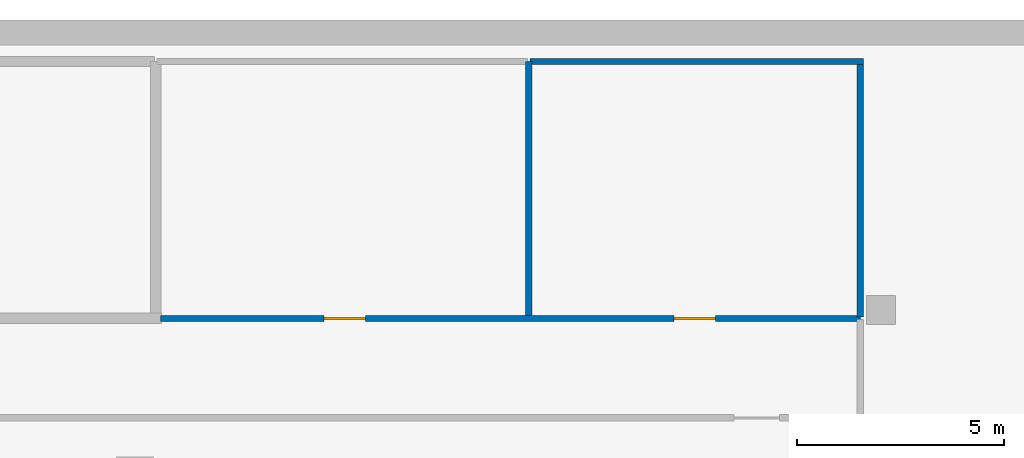
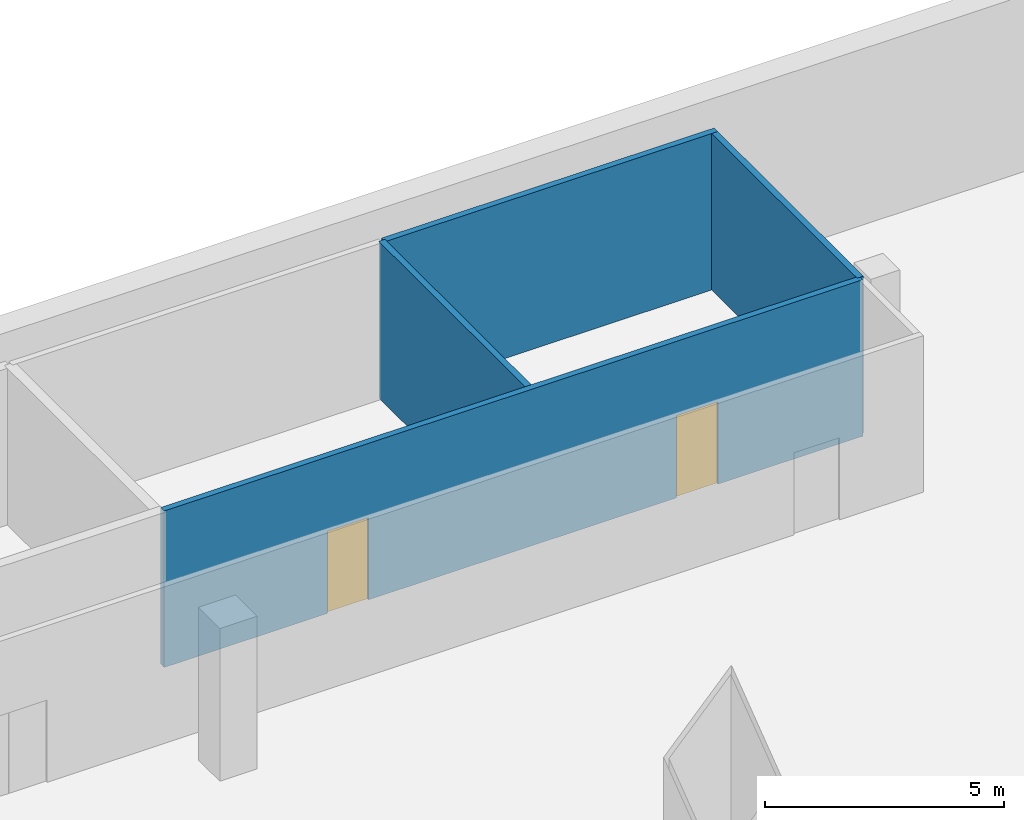
# One storey, part 12 of 17: 4 walls, 2 doors, 2 openings.
"""IFC4 building model written with IfcOpenShell, lengths in metres."""

from ifc_helpers import new_model, si_unit, direction, frame, frame_2d, origin, place, context, subcontext, project, spatial, rectangle, extrude, material, layer, layer_set, type_object, element, fill, save


model = new_model("IFC4")

# Units and contexts
model_context = context("Model", 3, precision=1e-05, world=origin(), true_north=direction((0.0, 1.0)))
body_context = subcontext(model_context, "Body", "Model", "MODEL_VIEW")
ifc_project = project(units=[si_unit("LENGTHUNIT", "METRE"), si_unit("AREAUNIT", "SQUARE_METRE"), si_unit("VOLUMEUNIT", "CUBIC_METRE"), si_unit("PLANEANGLEUNIT", "RADIAN"), si_unit("MASSUNIT", "GRAM", prefix="KILO")], contexts=[model_context])

# Site, building, storey
site_placement = place(None, origin())
site = spatial("IfcSite", under=ifc_project, at=site_placement, CompositionType="ELEMENT")
building_placement = place(site_placement, origin())
building = spatial("IfcBuilding", under=site, at=building_placement, Name="Mirante Cascada Hotel Towers", CompositionType="ELEMENT")
storey_placement = place(building_placement, frame((0.0, 0.0, -4.5)))
storey = spatial("IfcBuildingStorey", under=building, at=storey_placement, Name="B1", CompositionType="ELEMENT", Elevation=-4.5)

# Wall, openings, doors
ifc_material_1 = material(Name="Masonry block", Category="masonry")
ifc_layer_1 = layer(ifc_material_1, 0.15)
ifc_layer_set_1 = layer_set([ifc_layer_1], Name="Basement service corridor wall 150 block EI 60")
wall_type_1 = type_object("IfcWallType", Name="Basement service corridor wall 150 block EI 60", PredefinedType="PARTITIONING", material=ifc_layer_set_1)
wall_1_placement = place(storey_placement, frame((18.615, 30.8, 0.0), z_axis=(0.0, 0.0, 1.0), x_axis=(1.0, 0.0, 0.0)))
wall_1 = element("IfcWall", 1, at=wall_1_placement, inside=storey, type_object=wall_type_1, Name="Service corridor wall B1", PredefinedType="PARTITIONING", context=body_context, shape_type="SweptSolid", body=[
    extrude(rectangle(XDim=16.885, YDim=0.15, at=frame_2d((8.4425, 0.0))), origin(), (0.0, 0.0, 1.0), 4.0),
])
opening_1_placement = place(wall_1_placement, frame((3.9425, 0.0, 0.0)))
opening_1 = element("IfcOpeningElement", 2, at=opening_1_placement, cuts=wall_1, Name="Opening DB-1-05", PredefinedType="OPENING", context=body_context, shape_type="SweptSolid", body=[
    extrude(rectangle(XDim=1.0, YDim=2.1, at=frame_2d((0.5, 1.05))), frame((0.0, 0.075, 0.0), z_axis=(0.0, -1.0, 0.0), x_axis=(1.0, 0.0, 0.0)), (0.0, 0.0, 1.0), 0.15),
])
opening_2_placement = place(wall_1_placement, frame((12.385, 0.0, 0.0)))
opening_2 = element("IfcOpeningElement", 3, at=opening_2_placement, cuts=wall_1, Name="Opening DB-1-06", PredefinedType="OPENING", context=body_context, shape_type="SweptSolid", body=[
    extrude(rectangle(XDim=1.0, YDim=2.1, at=frame_2d((0.5, 1.05))), frame((0.0, 0.075, 0.0), z_axis=(0.0, -1.0, 0.0), x_axis=(1.0, 0.0, 0.0)), (0.0, 0.0, 1.0), 0.15),
])
ifc_material_2 = material(Name="Hollow metal fire door leaf")
door_type = type_object("IfcDoorType", Name="Basement fire door 1000x2100 FD60", OperationType="NOTDEFINED", PredefinedType="DOOR", material=ifc_material_2)
door_1_placement = place(opening_1_placement, origin())
door_1 = element("IfcDoor", 4, at=door_1_placement, inside=storey, type_object=door_type, Name="Door to staff changing room DB-1-05", OperationType="SINGLE_SWING_LEFT", OverallHeight=2.1, OverallWidth=1.0, PredefinedType="DOOR", context=body_context, shape_type="SweptSolid", body=[
    extrude(rectangle(XDim=1.0, YDim=2.1, at=frame_2d((0.5, 1.05))), frame((0.0, 0.025, 0.0), z_axis=(0.0, -1.0, 0.0), x_axis=(1.0, 0.0, 0.0)), (0.0, 0.0, 1.0), 0.05),
])
fill(opening_1, door_1)
door_2_placement = place(opening_2_placement, origin())
door_2 = element("IfcDoor", 5, at=door_2_placement, inside=storey, type_object=door_type, Name="Door to store DB-1-06", OperationType="SINGLE_SWING_RIGHT", OverallHeight=2.1, OverallWidth=1.0, PredefinedType="DOOR", context=body_context, shape_type="SweptSolid", body=[
    extrude(rectangle(XDim=1.0, YDim=2.1, at=frame_2d((0.5, 1.05))), frame((0.0, 0.025, 0.0), z_axis=(0.0, -1.0, 0.0), x_axis=(1.0, 0.0, 0.0)), (0.0, 0.0, 1.0), 0.05),
])
fill(opening_2, door_2)

# Walls
ifc_material_3 = material(Name="Masonry block", Category="masonry")
ifc_layer_2 = layer(ifc_material_3, 0.15)
ifc_layer_set_2 = layer_set([ifc_layer_2], Name="Basement service room wall 150 block EI 60")
wall_type_2 = type_object("IfcWallType", Name="Basement service room wall 150 block EI 60", PredefinedType="PARTITIONING", material=ifc_layer_set_2)
wall_2_placement = place(storey_placement, frame((27.53, 37.0, 0.0), z_axis=(0.0, 0.0, 1.0), x_axis=(1.0, 0.0, 0.0)))
element("IfcWall", 6, at=wall_2_placement, inside=storey, type_object=wall_type_2, Name="Service room wall B1", PredefinedType="PARTITIONING", context=body_context, shape_type="SweptSolid", body=[
    extrude(rectangle(XDim=8.045, YDim=0.15, at=frame_2d((4.0225, 0.0))), origin(), (0.0, 0.0, 1.0), 4.0),
])
wall_3_placement = place(storey_placement, frame((35.5, 30.83, 0.0), z_axis=(0.0, 0.0, 1.0), x_axis=(0.0, 1.0, 0.0)))
element("IfcWall", 7, at=wall_3_placement, inside=storey, type_object=wall_type_2, Name="Service room wall B1", PredefinedType="PARTITIONING", context=body_context, shape_type="SweptSolid", body=[
    extrude(rectangle(XDim=6.095, YDim=0.15, at=frame_2d((3.0475, 0.0))), origin(), (0.0, 0.0, 1.0), 4.0),
])
wall_4_placement = place(storey_placement, frame((27.5, 30.875, 0.0), z_axis=(0.0, 0.0, 1.0), x_axis=(0.0, 1.0, 0.0)))
element("IfcWall", 8, at=wall_4_placement, inside=storey, type_object=wall_type_2, Name="Service room wall B1", PredefinedType="PARTITIONING", context=body_context, shape_type="SweptSolid", body=[
    extrude(rectangle(XDim=6.125, YDim=0.15, at=frame_2d((3.0625, 0.0))), origin(), (0.0, 0.0, 1.0), 4.0),
])

save(model, "model.ifc")
